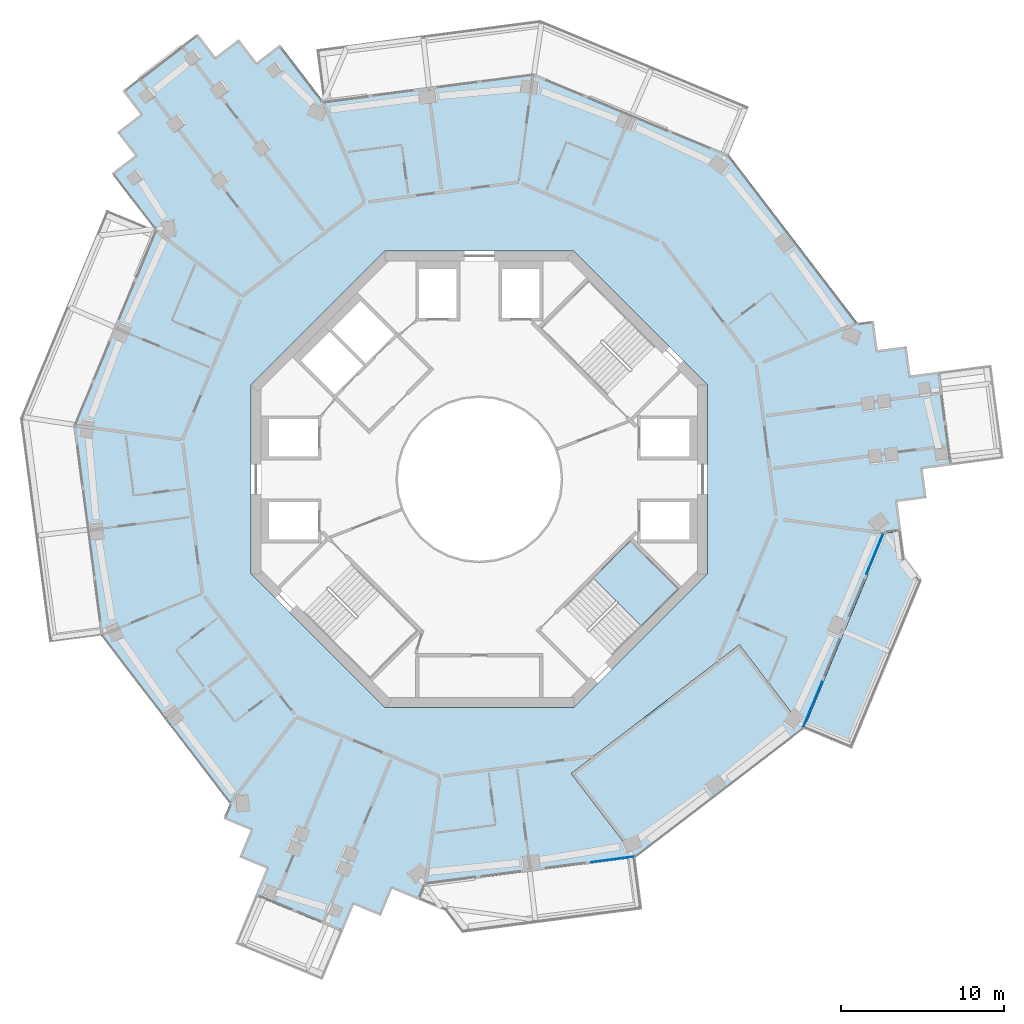
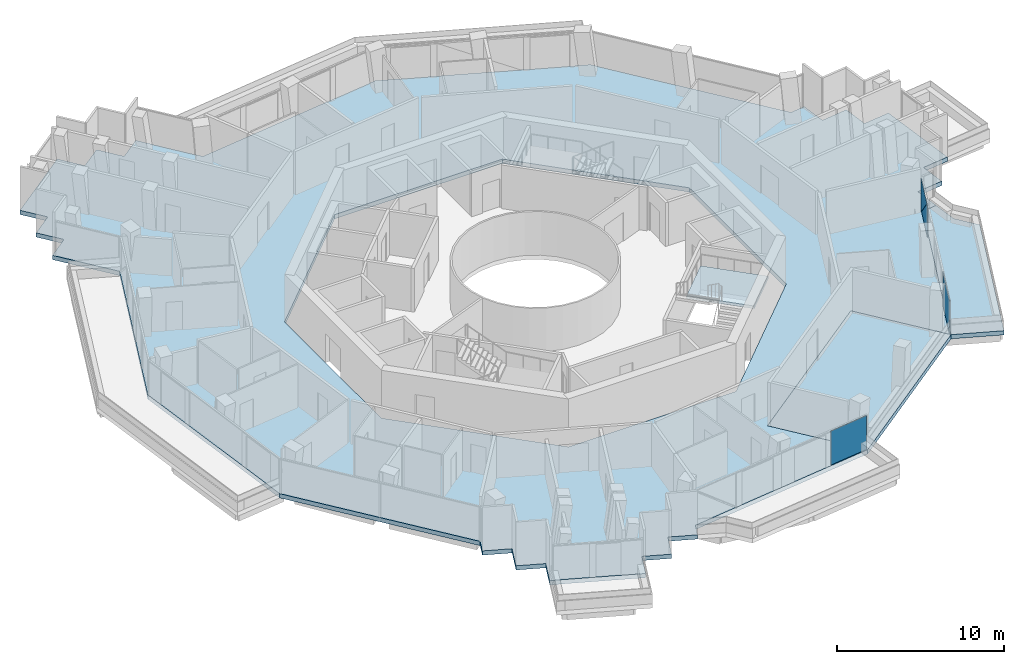
# One storey, part 13 of 25: 4 plates, 4 slabs, 3 elements without a shape of their own.
"""IFC4 building model written with IfcOpenShell, lengths in metres."""

from ifc_helpers import new_model, si_unit, direction, frame, origin, origin_2d, place, context, subcontext, project, spatial, polyline, rectangle, outline, extrude, material, layer, layer_set, type_object, element, aggregate, save


model = new_model("IFC4")

# Units and contexts
model_context = context("Model", 3, precision=1e-05, world=origin(), true_north=direction((0.0, 1.0)))
body_context = subcontext(model_context, "Body", "Model", "MODEL_VIEW")
ifc_project = project(units=[si_unit("LENGTHUNIT", "METRE"), si_unit("AREAUNIT", "SQUARE_METRE"), si_unit("VOLUMEUNIT", "CUBIC_METRE"), si_unit("PLANEANGLEUNIT", "RADIAN"), si_unit("MASSUNIT", "GRAM", prefix="KILO")], contexts=[model_context])

# Site, building, storey
site_placement = place(None, origin())
site = spatial("IfcSite", under=ifc_project, at=site_placement, CompositionType="ELEMENT")
building_placement = place(site_placement, origin())
building = spatial("IfcBuilding", under=site, at=building_placement, Name="Verdalira Terraces Hotel", CompositionType="ELEMENT")
storey_placement = place(building_placement, frame((0.0, 0.0, 187.0)))
storey = spatial("IfcBuildingStorey", under=building, at=storey_placement, Name="L45", CompositionType="ELEMENT", Elevation=187.0)

# Slab
ifc_material_1 = material(Name="Precast concrete C40/50", Category="concrete")
ifc_layer_1 = layer(ifc_material_1, 0.31005859375)
ifc_layer_set_1 = layer_set([ifc_layer_1], Name="Balcony deck 310")
slab_type_1 = type_object("IfcSlabType", Name="Balcony deck 310", PredefinedType="FLOOR", material=ifc_layer_set_1)
slab_1_placement = place(storey_placement, frame((0.0, 0.0, -0.310059)))
element("IfcSlab", 1, at=slab_1_placement, inside=storey, type_object=slab_type_1, Name="Balcony deck", PredefinedType="FLOOR", context=body_context, shape_type="SweptSolid", body=[
    extrude(outline(polyline([(26.111572, -4.89209), (25.887451, -3.174561), (24.895752, -3.304199), (19.908203, -15.309326), (22.863525, -16.537109), (27.14209, -6.238037), (26.111572, -4.89209)])), origin(), (0.0, 0.0, 1.0), 0.310059),
])

# Curtain wall, plate
ifc_material_2 = material(Name="Clear glass", Category="glass")
ifc_layer_2 = layer(ifc_material_2, 0.14990234375)
ifc_layer_set_2 = layer_set([ifc_layer_2], Name="CW1 curtain wall")
curtain_wall_type = type_object("IfcCurtainWallType", Name="CW1 curtain wall", PredefinedType="NOTDEFINED", material=ifc_layer_set_2)
curtain_wall_1_placement = place(storey_placement, origin())
curtain_wall_1 = element("IfcCurtainWall", 2, at=curtain_wall_1_placement, inside=storey, type_object=curtain_wall_type, Name="CW1 curtain wall L45 edge 25", PredefinedType="NOTDEFINED")
ifc_material_3 = material(Name="Clear glass", Category="glass")
ifc_layer_3 = layer(ifc_material_3, 0.028076171875)
ifc_layer_set_3 = layer_set([ifc_layer_3], Name="CW1 glass unit 28")
plate_type = type_object("IfcPlateType", Name="CW1 glass unit 28", PredefinedType="CURTAIN_PANEL", material=ifc_layer_set_3)
plate_1_placement = place(storey_placement, frame((8.189209, -23.319336, 0.0), z_axis=(0.0, 0.0, 1.0), x_axis=(0.991581004, 0.129487882, 0.0)))
plate_1 = element("IfcPlate", 3, at=plate_1_placement, type_object=plate_type, Name="CW1 glass unit", PredefinedType="CURTAIN_PANEL", context=body_context, shape_type="SweptSolid", body=[
    extrude(rectangle(XDim=2.678711, YDim=0.028076, at=origin_2d()), origin(), (0.0, 0.0, 1.0), 2.475098),
])
aggregate(curtain_wall_1, [plate_1])

# Curtain wall, plates
curtain_wall_2_placement = place(storey_placement, origin())
curtain_wall_2 = element("IfcCurtainWall", 4, at=curtain_wall_2_placement, inside=storey, type_object=curtain_wall_type, Name="CW1 curtain wall L45 edge 27", PredefinedType="NOTDEFINED")
plate_2_placement = place(storey_placement, frame((20.445312, -13.821533, 0.0), z_axis=(0.0, 0.0, 1.0), x_axis=(0.383650707, 0.923478281, 0.0)))
plate_2 = element("IfcPlate", 5, at=plate_2_placement, type_object=plate_type, Name="CW1 glass unit", PredefinedType="CURTAIN_PANEL", context=body_context, shape_type="SweptSolid", body=[
    extrude(rectangle(XDim=3.040039, YDim=0.028076, at=origin_2d()), origin(), (0.0, 0.0, 1.0), 2.475098),
])
plate_3_placement = place(storey_placement, frame((24.276611, -4.562256, 1.237549), z_axis=(0.923478281, -0.383650707, 0.0), x_axis=(0.383650707, 0.923478281, 0.0)))
plate_3 = element("IfcPlate", 6, at=plate_3_placement, type_object=plate_type, Name="CW1 glass unit", PredefinedType="CURTAIN_PANEL", context=body_context, shape_type="SweptSolid", body=[
    extrude(outline(polyline([(-1.339355, -1.237549), (1.339355, -1.237549), (-1.339355, 1.237549), (-1.339355, -1.237549)])), origin(), (0.0, 0.0, 1.0), 0.028076),
])
plate_4_placement = place(storey_placement, frame((24.249756, -4.551025, 1.237549), z_axis=(0.923478281, -0.383650707, 0.0), x_axis=(0.383650707, 0.923478281, 0.0)))
plate_4 = element("IfcPlate", 7, at=plate_4_placement, type_object=plate_type, Name="CW1 glass unit", PredefinedType="CURTAIN_PANEL", context=body_context, shape_type="SweptSolid", body=[
    extrude(outline(polyline([(1.339355, -1.237549), (1.339355, 1.237549), (-1.339355, 1.237549), (1.339355, -1.237549)])), origin(), (0.0, 0.0, 1.0), 0.028076),
])
aggregate(curtain_wall_2, [plate_2, plate_3, plate_4])

# Stair, slab
ifc_material_4 = material(Name="Concrete C40", Category="concrete")
stair_type = type_object("IfcStairType", Name="Core stair 20 risers 2050 mm wide", PredefinedType="HALF_TURN_STAIR", material=ifc_material_4)
stair_placement = place(storey_placement, origin())
stair = element("IfcStair", 8, at=stair_placement, inside=storey, type_object=stair_type, Name="L45 Exit stair ST3", PredefinedType="HALF_TURN_STAIR")
ifc_material_5 = material(Name="Concrete C40", Category="concrete")
ifc_layer_4 = layer(ifc_material_5, 0.199951171875)
ifc_layer_set_4 = layer_set([ifc_layer_4], Name="Core stair landing 200 mm")
slab_type_2 = type_object("IfcSlabType", Name="Core stair landing 200 mm", PredefinedType="LANDING", material=ifc_layer_set_4)
slab_2_placement = place(storey_placement, frame((0.0, 0.0, 1.550049)))
slab_2 = element("IfcSlab", 9, at=slab_2_placement, type_object=slab_type_2, Name="ST3 landing 1", PredefinedType="LANDING", context=body_context, shape_type="SweptSolid", body=[
    extrude(outline(polyline([(9.94873, -9.001709), (12.23291, -6.717529), (9.263184, -3.747559), (6.97876, -6.031982), (9.94873, -9.001709)])), origin(), (0.0, 0.0, 1.0), 0.199951),
])
aggregate(stair, [slab_2])

# Slabs
ifc_material_6 = material(Name="Concrete C40", Category="concrete")
ifc_layer_5 = layer(ifc_material_6, 0.31005859375)
ifc_layer_set_5 = layer_set([ifc_layer_5], Name="Floor slab 310 C40")
slab_type_3 = type_object("IfcSlabType", Name="Floor slab 310 C40", PredefinedType="FLOOR", material=ifc_layer_set_5)
slab_3_placement = place(storey_placement, frame((0.0, 0.0, -0.310059)))
element("IfcSlab", 10, at=slab_3_placement, inside=storey, type_object=slab_type_3, Name="Floor slab L45", PredefinedType="FLOOR", context=body_context, shape_type="SweptSolid", body=[
    extrude(outline(polyline([(-3.687744, -25.819092), (-3.304199, -24.895752), (9.585938, -23.212402), (5.634277, -18.051514), (15.956787, -10.147705), (19.908447, -15.308838), (24.895752, -3.304199), (25.887451, -3.174561), (25.654297, -1.389893), (27.439209, -1.156738), (27.206055, 0.628174), (28.990967, 0.861084), (28.23999, 6.612305), (26.455078, 6.379395), (26.221924, 8.164307), (24.437012, 7.931152), (24.204102, 9.71582), (23.212402, 9.586426), (15.309326, 19.908203), (3.304199, 24.895752), (-9.586426, 23.212402), (-12.235596, 26.672607), (-13.664795, 25.578369), (-14.759277, 27.007568), (-16.188477, 25.913086), (-17.282715, 27.342285), (-21.887695, 23.816406), (-20.793457, 22.387207), (-22.222656, 21.292969), (-21.128418, 19.86377), (-22.557617, 18.769531), (-19.908203, 15.309326), (-24.895752, 3.304199), (-23.212402, -9.586426), (-15.309326, -19.908203), (-15.693115, -20.831787), (-14.030762, -21.522461), (-14.721191, -23.18457), (-13.059082, -23.875244), (-13.749512, -25.537598), (-8.393311, -27.762695), (-7.702881, -26.100342), (-6.040527, -26.791016), (-5.350098, -25.128662), (-3.687744, -25.819092)]), holes=[polyline([(5.799072, 14.0), (14.0, 5.799072), (14.0, -5.799072), (5.799072, -14.0), (-5.799072, -14.0), (-14.0, -5.799072), (-14.0, 5.799072), (-5.799072, 14.0), (5.799072, 14.0)])]), origin(), (0.0, 0.0, 1.0), 0.310059),
])
ifc_material_7 = material(Name="Concrete C40", Category="concrete")
ifc_layer_6 = layer(ifc_material_7, 0.31005859375)
ifc_layer_set_6 = layer_set([ifc_layer_6], Name="Loggia floor deck 310 C40")
slab_type_4 = type_object("IfcSlabType", Name="Loggia floor deck 310 C40", PredefinedType="FLOOR", material=ifc_layer_set_6)
slab_4_placement = place(storey_placement, frame((0.0, 0.0, -0.310059)))
element("IfcSlab", 11, at=slab_4_placement, inside=storey, type_object=slab_type_4, Name="Loggia deck L45", PredefinedType="FLOOR", context=body_context, shape_type="SweptSolid", body=[
    extrude(outline(polyline([(5.63501, -18.051514), (9.586426, -23.212402), (19.908203, -15.309326), (15.956787, -10.148438), (5.63501, -18.051514)])), origin(), (0.0, 0.0, 1.0), 0.310059),
])

save(model, "model.ifc")
